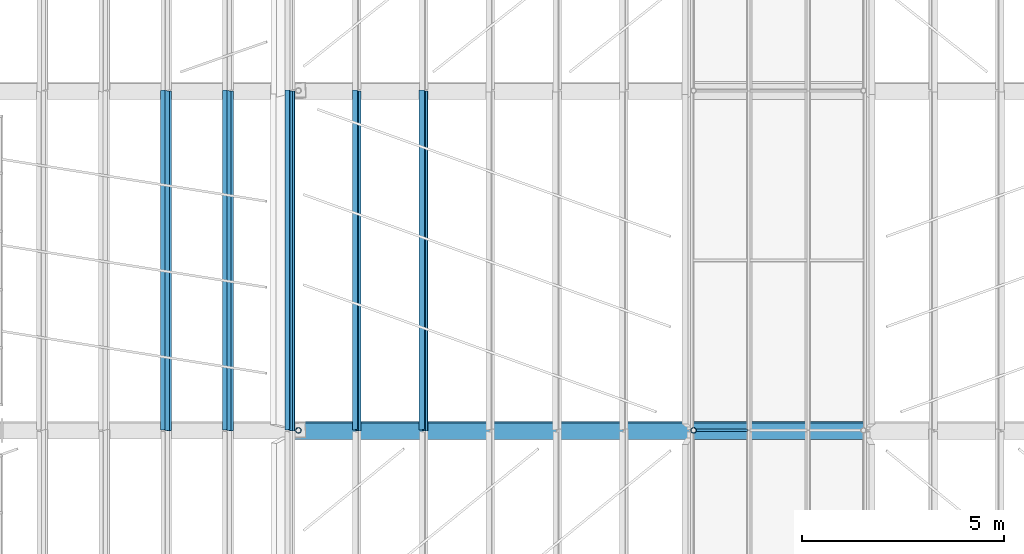
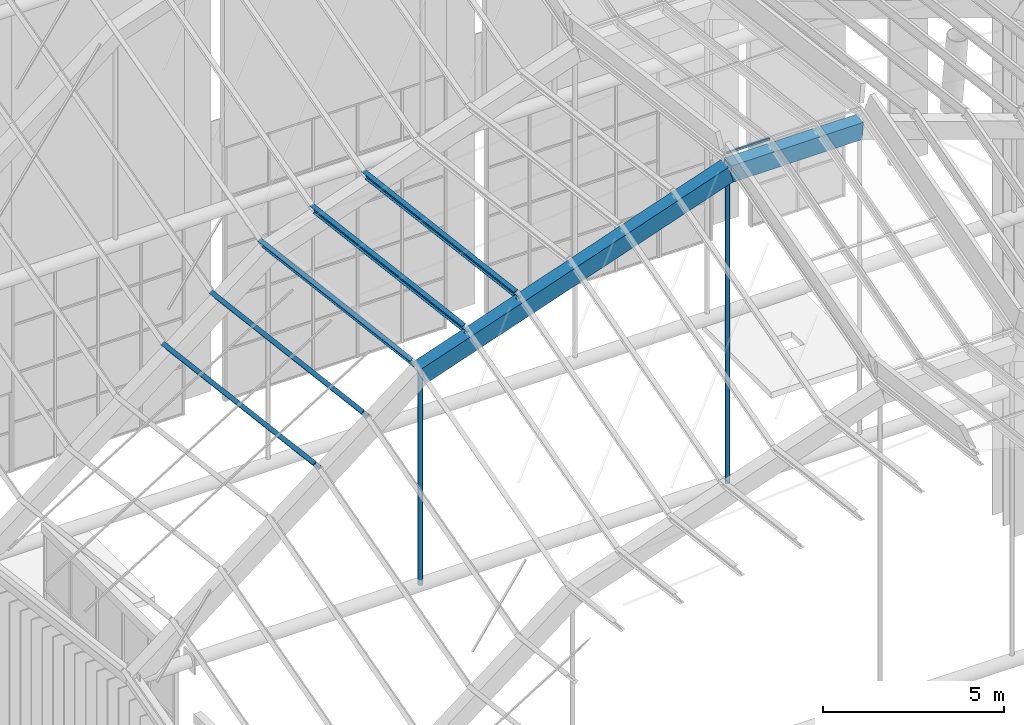
# One storey, part 27 of 126: 8 members, 2 beams.
"""IFC4 building model written with IfcOpenShell, lengths in metres."""

from ifc_helpers import new_model, si_unit, direction, frame, origin, origin_2d, place, context, subcontext, project, spatial, polyline, rectangle, hollow_circle, i_section, outline, extrude, material, material_profile, profile_set, type_object, element, save


model = new_model("IFC4")

# Units and contexts
model_context = context("Model", 3, precision=1e-05, world=origin(), true_north=direction((0.0, 1.0)))
body_context = subcontext(model_context, "Body", "Model", "MODEL_VIEW")
ifc_project = project(units=[si_unit("LENGTHUNIT", "METRE"), si_unit("AREAUNIT", "SQUARE_METRE"), si_unit("VOLUMEUNIT", "CUBIC_METRE"), si_unit("PLANEANGLEUNIT", "RADIAN"), si_unit("MASSUNIT", "GRAM", prefix="KILO")], contexts=[model_context])

# Site, building, storey
site_placement = place(None, origin())
site = spatial("IfcSite", under=ifc_project, at=site_placement, CompositionType="ELEMENT")
building_placement = place(site_placement, origin())
building = spatial("IfcBuilding", under=site, at=building_placement, Name="Sava Quay Ferry Terminal", CompositionType="ELEMENT")
storey_placement = place(building_placement, frame((0.0, 0.0, 15.0)))
storey = spatial("IfcBuildingStorey", under=building, at=storey_placement, Name="L03", CompositionType="ELEMENT", Elevation=15.0)

# Beams
ifc_material_1 = material(Name="Steel S355", Category="steel")
ifc_material_profile_1 = material_profile(ifc_material_1, outline(polyline([(-0.199951171875, -0.300048828125), (0.199951171875, -0.300048828125), (0.199951171875, 0.300048828125), (-0.199951171875, 0.300048828125), (-0.199951171875, -0.300048828125)]), holes=[polyline([(-0.175048828125, -0.27490234375), (-0.175048828125, 0.27490234375), (0.175048828125, 0.27490234375), (0.175048828125, -0.27490234375), (-0.175048828125, -0.27490234375)])]), Name="Box 600x400x25 built-up")
ifc_profile_set_1 = profile_set([ifc_material_profile_1], Name="Steel S355")
beam_type = type_object("IfcBeamType", Name="D folded rib Box 600x400x25", PredefinedType="BEAM", material=ifc_profile_set_1)
beam_1_placement = place(storey_placement, frame((51.1298828125, 75.60009765625, 19.2041015625), z_axis=(0.945520775213, 0.0, 0.325561766247), x_axis=(-0.023189258358, 0.997460028585, 0.067347974525)))
element("IfcBeam", 1, at=beam_1_placement, inside=storey, type_object=beam_type, Name="Departure hall folded rib R3 seg 2", PredefinedType="BEAM", context=body_context, shape_type="SweptSolid", body=[
    extrude(outline(polyline([(-0.199951171875, -0.300048828125), (0.199951171875, -0.300048828125), (0.199951171875, 0.300048828125), (-0.199951171875, 0.300048828125), (-0.199951171875, -0.300048828125)]), holes=[polyline([(-0.175048828125, -0.27490234375), (-0.175048828125, 0.27490234375), (0.175048828125, 0.27490234375), (0.175048828125, -0.27490234375), (-0.175048828125, -0.27490234375)])]), origin(), (0.0, 0.0, 1.0), 10.3330078125),
])
beam_2_placement = place(storey_placement, frame((60.89990234375, 75.60009765625, 22.568115234375), z_axis=(1.0, 0.0, 0.0), x_axis=(0.0, 0.997183442118, 0.075001218434)))
element("IfcBeam", 2, at=beam_2_placement, inside=storey, type_object=beam_type, Name="Departure hall folded rib R3 seg 3", PredefinedType="BEAM", context=body_context, shape_type="SweptSolid", body=[
    extrude(outline(polyline([(-0.199951171875, -0.300048828125), (0.199951171875, -0.300048828125), (0.199951171875, 0.300048828125), (-0.199951171875, 0.300048828125), (-0.199951171875, -0.300048828125)]), holes=[polyline([(-0.175048828125, -0.27490234375), (-0.175048828125, 0.27490234375), (0.175048828125, 0.27490234375), (0.175048828125, -0.27490234375), (-0.175048828125, -0.27490234375)])]), origin(), (0.0, 0.0, 1.0), 4.2001953125),
])

# Members
ifc_material_2 = material(Name="Aluminium EN AW-6063 T6", Category="aluminium")
ifc_material_profile_2 = material_profile(ifc_material_2, rectangle(XDim=0.06005859375, YDim=0.06005859375, at=origin_2d()), Name="Bar 60 x 60")
ifc_profile_set_2 = profile_set([ifc_material_profile_2], Name="Aluminium EN AW-6063 T6")
member_type_1 = type_object("IfcMemberType", Name="Glazing bar 60x60", PredefinedType="USERDEFINED", material=ifc_profile_set_2)
member_1_placement = place(storey_placement, frame((60.8798828125, 75.60009765625, 23.170166015625), z_axis=(1.0, 0.0, 0.0), x_axis=(0.0, 0.992393764882, -0.123104083697)))
element("IfcMember", 3, at=member_1_placement, inside=storey, type_object=member_type_1, Name="Departure hall glazing bar D-R3-GT2.0", ObjectType="GLAZING BAR", PredefinedType="USERDEFINED", context=body_context, shape_type="SweptSolid", body=[
    extrude(rectangle(XDim=0.06005859375, YDim=0.06005859375, at=origin_2d()), origin(), (0.0, 0.0, 1.0), 1.356689453125),
])
ifc_material_3 = material(Name="Steel S355", Category="steel")
ifc_material_profile_3 = material_profile(ifc_material_3, i_section(OverallWidth=0.135009765625, OverallDepth=0.27001953125, WebThickness=0.006591796875, FlangeThickness=0.01025390625, at=origin_2d()), Name="IPE 270")
ifc_profile_set_3 = profile_set([ifc_material_profile_3], Name="Steel S355")
member_type_2 = type_object("IfcMemberType", Name="Roof purlin IPE 270", PredefinedType="PURLIN", material=ifc_profile_set_3)
for number, where, z_axis, x_axis, name in (
    (4, (47.8583984375, 75.60009765625, 17.20263671875), (0.0, 0.992393702798, -0.123104584187), (-0.790283793055, -0.075431225352, -0.608080304463), "Departure hall purlin bay 4 M0.4"),
    (5, (49.3896484375, 75.60009765625, 18.39892578125), (0.0, 0.992393702798, -0.123104584187), (-0.790283793055, -0.075431225352, -0.608080304463), "Departure hall purlin bay 4 M0.5"),
    (6, (50.920654296875, 75.60009765625, 19.59521484375), (0.0, 0.992393702798, -0.123104584187), (-0.880255099686, -0.05841321723, -0.470891553895), "Departure hall purlin bay 4 V1"),
    (7, (52.572021484375, 75.60009765625, 20.163818359375), (0.0, 0.992393702798, -0.123104584187), (-0.946278888601, -0.039806065742, -0.320892103546), "Departure hall purlin bay 4 M1.1"),
    (8, (54.22314453125, 75.60009765625, 20.732421875), (0.0, 0.992393702798, -0.123104584187), (-0.946278888601, -0.039806065742, -0.320892103546), "Departure hall purlin bay 4 M1.2"),
):
    element("IfcMember", number, at=place(storey_placement, frame(where, z_axis=z_axis, x_axis=x_axis)), inside=storey, type_object=member_type_2, Name=name, PredefinedType="PURLIN", context=body_context, shape_type="SweptSolid", body=[
        extrude(i_section(OverallWidth=0.135009765625, OverallDepth=0.27001953125, WebThickness=0.006591796875, FlangeThickness=0.01025390625, at=origin_2d()), origin(), (0.0, 0.0, 1.0), 8.46435546875),
    ])
ifc_material_4 = material(Name="Steel S355", Category="steel")
ifc_material_profile_4 = material_profile(ifc_material_4, hollow_circle(Radius=0.06982421875, WallThickness=0.008056640625, at=origin_2d()), Name="CHS 139.7 x 8.0")
ifc_profile_set_4 = profile_set([ifc_material_profile_4], Name="Steel S355")
member_type_3 = type_object("IfcMemberType", Name="Tie hanger CHS 139.7x8", PredefinedType="USERDEFINED", material=ifc_profile_set_4)
member_2_placement = place(storey_placement, frame((51.1298828125, 75.60009765625, 12.071044921875), z_axis=(0.0, 0.0, 1.0), x_axis=(1.0, 0.0, 0.0)))
element("IfcMember", 9, at=member_2_placement, inside=storey, type_object=member_type_3, Name="Departure hall tie hanger R3 V1", ObjectType="TIE HANGER", PredefinedType="USERDEFINED", context=body_context, shape_type="SweptSolid", body=[
    extrude(hollow_circle(Radius=0.06982421875, WallThickness=0.008056640625, at=origin_2d()), origin(), (0.0, 0.0, 1.0), 7.133056640625),
])
member_3_placement = place(storey_placement, frame((60.89990234375, 75.60009765625, 12.071044921875), z_axis=(0.0, 0.0, 1.0), x_axis=(1.0, 0.0, 0.0)))
element("IfcMember", 10, at=member_3_placement, inside=storey, type_object=member_type_3, Name="Departure hall tie hanger R3 V2", ObjectType="TIE HANGER", PredefinedType="USERDEFINED", context=body_context, shape_type="SweptSolid", body=[
    extrude(hollow_circle(Radius=0.06982421875, WallThickness=0.008056640625, at=origin_2d()), origin(), (0.0, 0.0, 1.0), 10.4970703125),
])

save(model, "model.ifc")
